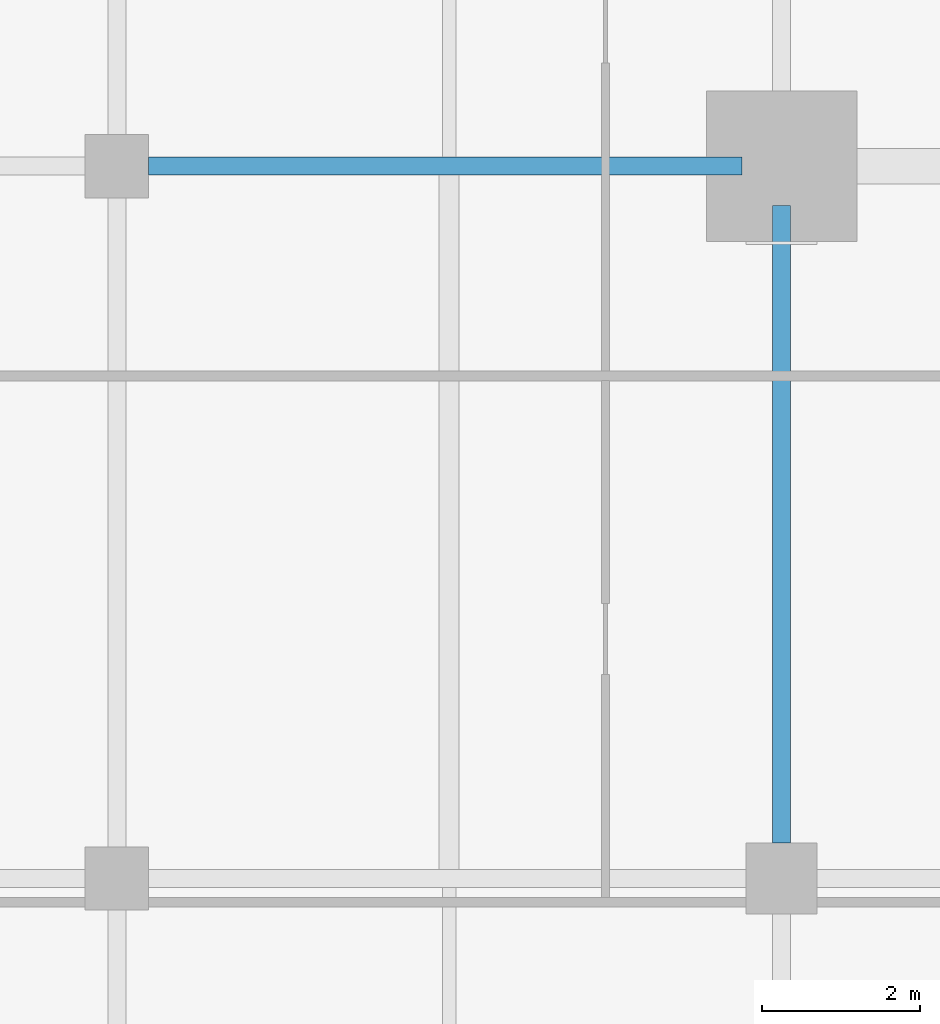
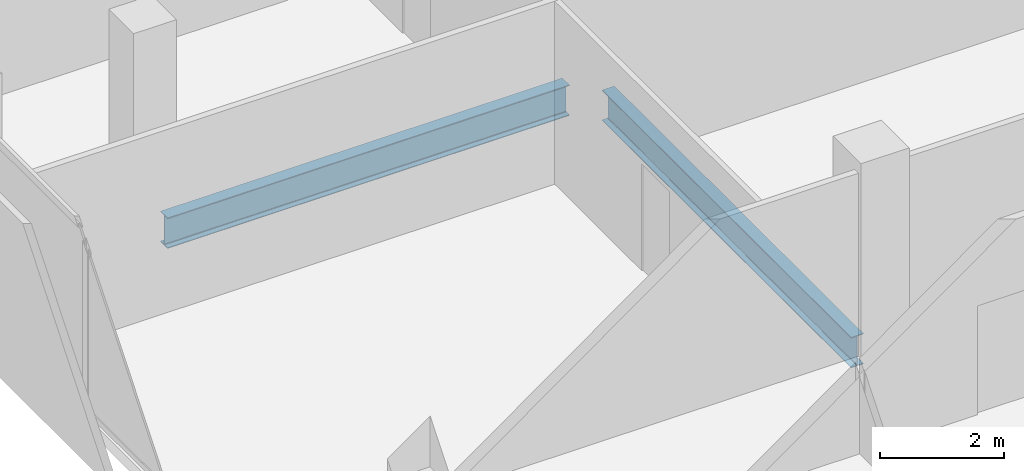
# One storey, part 9 of 33: 2 beams.
"""IFC4 building model written with IfcOpenShell, lengths in metres."""

from ifc_helpers import new_model, si_unit, direction, frame, origin, origin_2d, place, context, subcontext, project, spatial, i_section, extrude, material, material_profile, profile_set, type_object, element, save


model = new_model("IFC4")

# Units and contexts
model_context = context("Model", 3, precision=1e-05, world=origin(), true_north=direction((0.0, 1.0)))
body_context = subcontext(model_context, "Body", "Model", "MODEL_VIEW")
ifc_project = project(units=[si_unit("LENGTHUNIT", "METRE"), si_unit("AREAUNIT", "SQUARE_METRE"), si_unit("VOLUMEUNIT", "CUBIC_METRE"), si_unit("PLANEANGLEUNIT", "RADIAN"), si_unit("MASSUNIT", "GRAM", prefix="KILO")], contexts=[model_context])

# Site, building, storey
site_placement = place(None, origin())
site = spatial("IfcSite", under=ifc_project, at=site_placement, CompositionType="ELEMENT")
building_placement = place(site_placement, origin())
building = spatial("IfcBuilding", under=site, at=building_placement, Name="Maruvema Waterfront Hotel and Observation Tower", CompositionType="ELEMENT")
storey_placement = place(building_placement, frame((0.0, 0.0, 169.75)))
storey = spatial("IfcBuildingStorey", under=building, at=storey_placement, Name="L41", CompositionType="ELEMENT", Elevation=169.75)

# Beams
ifc_material = material(Name="Steel ASTM A572 Grade 50", Category="steel")
ifc_material_profile = material_profile(ifc_material, i_section(OverallWidth=0.22802734375, OverallDepth=0.60302734375, WebThickness=0.010498046875, FlangeThickness=0.014892578125, FilletRadius=0.01806640625, at=origin_2d()), Name="W610x101.0")
ifc_profile_set = profile_set([ifc_material_profile], Name="Steel ASTM A572 Grade 50")
beam_type = type_object("IfcBeamType", Name="Primary Floor Girder W610x101.0", PredefinedType="BEAM", material=ifc_profile_set)
beam_1_placement = place(storey_placement, frame((17.199951171875, 27.0, -0.54150390625), z_axis=(1.0, 0.0, 0.0), x_axis=(0.0, 1.0, 0.0)))
element("IfcBeam", 1, at=beam_1_placement, inside=storey, type_object=beam_type, Name="L41 Floor Girder EW-19", PredefinedType="BEAM", context=body_context, shape_type="SweptSolid", body=[
    extrude(i_section(OverallWidth=0.22802734375, OverallDepth=0.60302734375, WebThickness=0.010498046875, FlangeThickness=0.014892578125, FilletRadius=0.01806640625, at=origin_2d()), origin(), (0.0, 0.0, 1.0), 7.5),
])
beam_2_placement = place(storey_placement, frame((25.199951171875, 18.449951171875, -0.54150390625), z_axis=(0.0, 1.0, 0.0), x_axis=(-1.0, 0.0, 0.0)))
element("IfcBeam", 2, at=beam_2_placement, inside=storey, type_object=beam_type, Name="L41 Floor Girder NS-11", PredefinedType="BEAM", context=body_context, shape_type="SweptSolid", body=[
    extrude(i_section(OverallWidth=0.22802734375, OverallDepth=0.60302734375, WebThickness=0.010498046875, FlangeThickness=0.014892578125, FilletRadius=0.01806640625, at=origin_2d()), origin(), (0.0, 0.0, 1.0), 8.050048828125),
])

save(model, "model.ifc")
